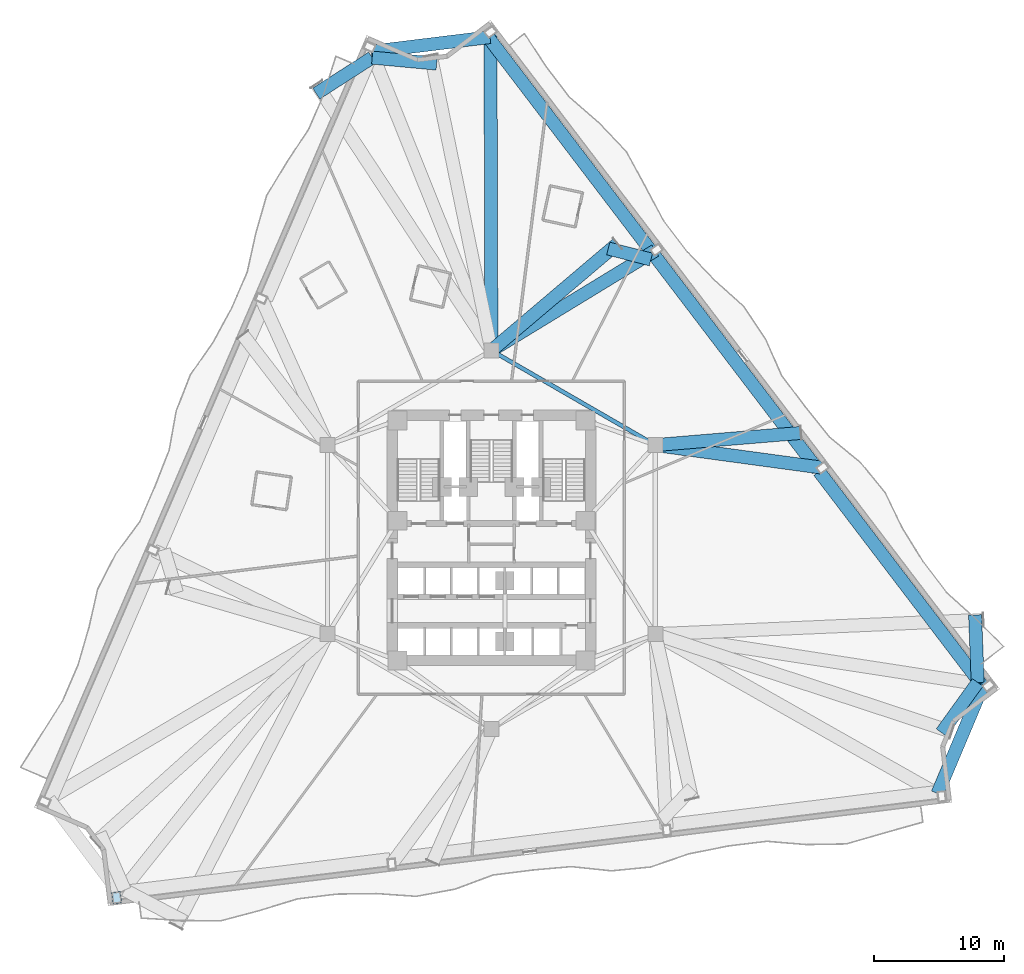
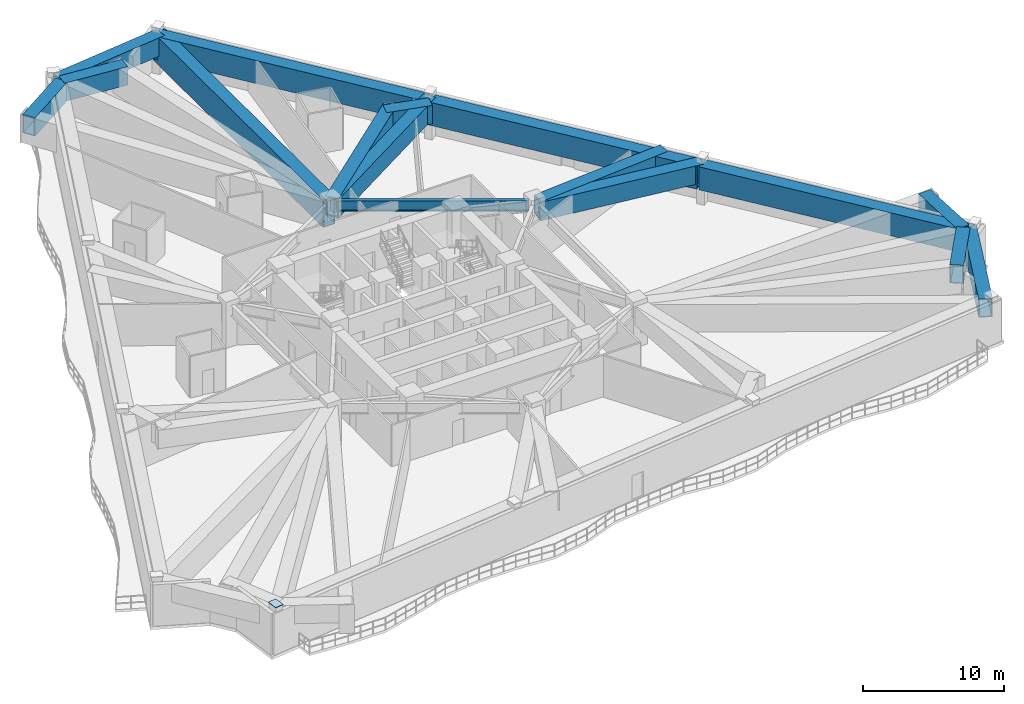
# One storey, part 2 of 14: 16 beams, 1 plate.
"""IFC4 building model written with IfcOpenShell, lengths in metres."""

from ifc_helpers import new_model, si_unit, direction, frame, origin, origin_2d, place, context, subcontext, project, spatial, rectangle, hollow_rectangle, i_section, extrude, material, layer, layer_set, material_profile, profile_set, type_object, element, save


model = new_model("IFC4")

# Units and contexts
model_context = context("Model", 3, precision=1e-05, world=origin(), true_north=direction((0.0, 1.0)))
body_context = subcontext(model_context, "Body", "Model", "MODEL_VIEW")
ifc_project = project(units=[si_unit("LENGTHUNIT", "METRE"), si_unit("AREAUNIT", "SQUARE_METRE"), si_unit("VOLUMEUNIT", "CUBIC_METRE"), si_unit("PLANEANGLEUNIT", "RADIAN"), si_unit("MASSUNIT", "GRAM", prefix="KILO")], contexts=[model_context])

# Site, building, storey
site_placement = place(None, origin())
site = spatial("IfcSite", under=ifc_project, at=site_placement, CompositionType="ELEMENT")
building_placement = place(site_placement, origin())
building = spatial("IfcBuilding", under=site, at=building_placement, Name="Apsidion Concourse Tower", CompositionType="ELEMENT")
storey_placement = place(building_placement, frame((0.0, 0.0, 91.0)))
storey = spatial("IfcBuildingStorey", under=building, at=storey_placement, Name="L20", CompositionType="ELEMENT", Elevation=91.0)

# Beams
ifc_material_1 = material(Name="Structural steel ASTM A992 Grade 50", Category="steel")
ifc_material_profile_1 = material_profile(ifc_material_1, i_section(OverallWidth=0.31005859375, OverallDepth=0.931884765625, WebThickness=0.02099609375, FlangeThickness=0.034423828125, at=origin_2d()), Name="W36X210")
ifc_profile_set_1 = profile_set([ifc_material_profile_1], Name="Structural steel ASTM A992 Grade 50")
beam_type_1 = type_object("IfcBeamType", Name="BM-G-W36", PredefinedType="USERDEFINED", material=ifc_profile_set_1)
beam_1_placement = place(storey_placement, frame((0.346435546875, 14.300048828125, 3.134033203125), z_axis=(0.866070471464, -0.499921932364, 0.0), x_axis=(0.499921932364, 0.866070471464, 0.0)))
element("IfcBeam", 1, at=beam_1_placement, inside=storey, type_object=beam_type_1, Name="L20 Core Coupling Girder IC4-IC3", ObjectType="GIRDER", PredefinedType="USERDEFINED", context=body_context, shape_type="SweptSolid", body=[
    extrude(i_section(OverallWidth=0.31005859375, OverallDepth=0.931884765625, WebThickness=0.02099609375, FlangeThickness=0.034423828125, at=origin_2d()), origin(), (0.0, 0.0, 1.0), 13.702392578125),
])
ifc_material_2 = material(Name="Structural steel ASTM A572 Grade 50", Category="steel")
ifc_material_profile_2 = material_profile(ifc_material_2, hollow_rectangle(XDim=1.0, YDim=1.60009765625, WallThickness=0.074951171875, at=origin_2d()), Name="BOX1600X1000X75")
ifc_profile_set_2 = profile_set([ifc_material_profile_2], Name="Structural steel ASTM A572 Grade 50")
beam_type_2 = type_object("IfcBeamType", Name="BM-TR-1600", PredefinedType="USERDEFINED", material=ifc_profile_set_2)
beam_2_placement = place(storey_placement, frame((34.195068359375, -19.4580078125, 2.800048828125), z_axis=(0.388325736018, 0.921522177024, 0.0), x_axis=(-0.921522177024, 0.388325736018, 0.0)))
element("IfcBeam", 2, at=beam_2_placement, inside=storey, type_object=beam_type_2, Name="L20 Perimeter Spandrel Girder SP-08", ObjectType="GIRDER", PredefinedType="USERDEFINED", context=body_context, shape_type="SweptSolid", body=[
    extrude(hollow_rectangle(XDim=1.0, YDim=1.60009765625, WallThickness=0.074951171875, at=origin_2d()), origin(), (0.0, 0.0, 1.0), 9.056396484375),
])
beam_3_placement = place(storey_placement, frame((-0.10546875, 38.5283203125, 2.800048828125), z_axis=(-0.992543511715, -0.121890841956, 0.0), x_axis=(0.121890841956, -0.992543511715, 0.0)))
element("IfcBeam", 3, at=beam_3_placement, inside=storey, type_object=beam_type_2, Name="L20 Perimeter Spandrel Girder SP-12", ObjectType="GIRDER", PredefinedType="USERDEFINED", context=body_context, shape_type="SweptSolid", body=[
    extrude(hollow_rectangle(XDim=1.0, YDim=1.60009765625, WallThickness=0.074951171875, at=origin_2d()), origin(), (0.0, 0.0, 1.0), 9.181396484375),
])
beam_4_placement = place(storey_placement, frame((12.778076171875, 7.220458984375, 2.800048828125), z_axis=(0.990945280061, -0.134266346958, 0.0), x_axis=(0.134266346958, 0.990945280061, 0.0)))
element("IfcBeam", 4, at=beam_4_placement, inside=storey, type_object=beam_type_2, Name="L20 Radial Floor Girder RAD-10", ObjectType="GIRDER", PredefinedType="USERDEFINED", context=body_context, shape_type="SweptSolid", body=[
    extrude(hollow_rectangle(XDim=1.0, YDim=1.60009765625, WallThickness=0.074951171875, at=origin_2d()), origin(), (0.0, 0.0, 1.0), 12.6083984375),
])
beam_5_placement = place(storey_placement, frame((0.187744140625, 14.614501953125, 2.800048828125), z_axis=(0.853751075102, 0.520681382193, 0.0), x_axis=(-0.520681382193, 0.853751075102, 0.0)))
element("IfcBeam", 5, at=beam_5_placement, inside=storey, type_object=beam_type_2, Name="L20 Radial Floor Girder RAD-11", ObjectType="GIRDER", PredefinedType="USERDEFINED", context=body_context, shape_type="SweptSolid", body=[
    extrude(hollow_rectangle(XDim=1.0, YDim=1.60009765625, WallThickness=0.074951171875, at=origin_2d()), origin(), (0.0, 0.0, 1.0), 14.49658203125),
])
beam_6_placement = place(storey_placement, frame((-9.14013671875, 36.95166015625, 2.800048828125), z_axis=(-0.840952743465, -0.541108568828, 0.0), x_axis=(0.541108568828, -0.840952743465, 0.0)))
element("IfcBeam", 6, at=beam_6_placement, inside=storey, type_object=beam_type_2, Name="L20 Block-Step Perimeter Transfer Bridge NBR-01", ObjectType="GIRDER", PredefinedType="USERDEFINED", context=body_context, shape_type="SweptSolid", body=[
    extrude(hollow_rectangle(XDim=1.0, YDim=1.60009765625, WallThickness=0.074951171875, at=origin_2d()), origin(), (0.0, 0.0, 1.0), 5.09716796875),
])
beam_7_placement = place(storey_placement, frame((37.277587890625, -10.94677734375, 2.800048828125), z_axis=(-0.584543275524, -0.811362532435, 0.0), x_axis=(0.811362532435, -0.584543275524, 0.0)))
element("IfcBeam", 7, at=beam_7_placement, inside=storey, type_object=beam_type_2, Name="L20 Block-Step Perimeter Transfer Bridge NBR-08", ObjectType="GIRDER", PredefinedType="USERDEFINED", context=body_context, shape_type="SweptSolid", body=[
    extrude(hollow_rectangle(XDim=1.0, YDim=1.60009765625, WallThickness=0.074951171875, at=origin_2d()), origin(), (0.0, 0.0, 1.0), 4.74462890625),
])
beam_8_placement = place(storey_placement, frame((37.277587890625, -10.94677734375, 2.800048828125), z_axis=(-0.038731702226, 0.999249646106, 0.0), x_axis=(-0.999249646106, -0.038731702226, 0.0)))
element("IfcBeam", 8, at=beam_8_placement, inside=storey, type_object=beam_type_2, Name="L20 Block-Step Perimeter Transfer Bridge NBR-09", ObjectType="GIRDER", PredefinedType="USERDEFINED", context=body_context, shape_type="SweptSolid", body=[
    extrude(hollow_rectangle(XDim=1.0, YDim=1.60009765625, WallThickness=0.074951171875, at=origin_2d()), origin(), (0.0, 0.0, 1.0), 5.181396484375),
])
beam_9_placement = place(storey_placement, frame((12.85888671875, 7.27490234375, 2.800048828125), z_axis=(0.996542666196, 0.083082576097, 0.0), x_axis=(-0.083082576097, 0.996542666196, 0.0)))
element("IfcBeam", 9, at=beam_9_placement, inside=storey, type_object=beam_type_2, Name="L20 Block-Step Radial Transfer Girder NTR-10", ObjectType="GIRDER", PredefinedType="USERDEFINED", context=body_context, shape_type="SweptSolid", body=[
    extrude(hollow_rectangle(XDim=1.0, YDim=1.60009765625, WallThickness=0.074951171875, at=origin_2d()), origin(), (0.0, 0.0, 1.0), 10.89306640625),
])
beam_10_placement = place(storey_placement, frame((0.22900390625, 14.694091796875, 2.800048828125), z_axis=(0.762884209885, 0.646535136175, 0.0), x_axis=(-0.646535136175, 0.762884209885, 0.0)))
element("IfcBeam", 10, at=beam_10_placement, inside=storey, type_object=beam_type_2, Name="L20 Block-Step Radial Transfer Girder NTR-11", ObjectType="GIRDER", PredefinedType="USERDEFINED", context=body_context, shape_type="SweptSolid", body=[
    extrude(hollow_rectangle(XDim=1.0, YDim=1.60009765625, WallThickness=0.074951171875, at=origin_2d()), origin(), (0.0, 0.0, 1.0), 12.363525390625),
])
beam_11_placement = place(storey_placement, frame((12.22900390625, 21.47607421875, 2.800048828125), z_axis=(-0.968435116519, 0.249265772003, 0.0), x_axis=(-0.249265772003, -0.968435116519, 0.0)))
element("IfcBeam", 11, at=beam_11_placement, inside=storey, type_object=beam_type_2, Name="L20 Block-Step Perimeter Transfer Bridge NBR-11", ObjectType="GIRDER", PredefinedType="USERDEFINED", context=body_context, shape_type="SweptSolid", body=[
    extrude(hollow_rectangle(XDim=1.0, YDim=1.60009765625, WallThickness=0.074951171875, at=origin_2d()), origin(), (0.0, 0.0, 1.0), 3.377197265625),
])
beam_12_placement = place(storey_placement, frame((-9.14013671875, 36.95166015625, 2.800048828125), z_axis=(0.995687490129, -0.092770803596, 0.0), x_axis=(0.092770803596, 0.995687490129, 0.0)))
element("IfcBeam", 12, at=beam_12_placement, inside=storey, type_object=beam_type_2, Name="L20 Block-Step Perimeter Transfer Bridge NBR-12", ObjectType="GIRDER", PredefinedType="USERDEFINED", context=body_context, shape_type="SweptSolid", body=[
    extrude(hollow_rectangle(XDim=1.0, YDim=1.60009765625, WallThickness=0.074951171875, at=origin_2d()), origin(), (0.0, 0.0, 1.0), 4.96337890625),
])
ifc_material_profile_3 = material_profile(ifc_material_2, hollow_rectangle(XDim=1.0, YDim=2.0, WallThickness=0.080078125, at=origin_2d()), Name="BOX2000X1000X80")
ifc_profile_set_3 = profile_set([ifc_material_profile_3], Name="Structural steel ASTM A572 Grade 50")
beam_type_3 = type_object("IfcBeamType", Name="BM-TR-2000", PredefinedType="USERDEFINED", material=ifc_profile_set_3)
for number, where, z_axis, x_axis, name in (
    (13, (37.7421875, -11.352783203125, 2.60009765625), (-0.60596800995, 0.7954890137, 0.0), (-0.7954890137, -0.60596800995, 0.0), "L20 Perimeter Spandrel Girder SP-09"),
    (14, (25.0205078125, 5.34765625, 2.60009765625), (-0.60596800995, 0.7954890137, 0.0), (-0.7954890137, -0.60596800995, 0.0), "L20 Perimeter Spandrel Girder SP-10"),
    (15, (12.298583984375, 22.048095703125, 2.60009765625), (-0.60596800995, 0.7954890137, 0.0), (-0.7954890137, -0.60596800995, 0.0), "L20 Perimeter Spandrel Girder SP-11"),
):
    element("IfcBeam", number, at=place(storey_placement, frame(where, z_axis=z_axis, x_axis=x_axis)), inside=storey, type_object=beam_type_3, Name=name, ObjectType="GIRDER", PredefinedType="USERDEFINED", context=body_context, shape_type="SweptSolid", body=[
        extrude(hollow_rectangle(XDim=1.0, YDim=2.0, WallThickness=0.080078125, at=origin_2d()), origin(), (0.0, 0.0, 1.0), 20.833984375),
    ])
ifc_material_profile_4 = material_profile(ifc_material_2, hollow_rectangle(XDim=1.0, YDim=2.39990234375, WallThickness=0.080078125, at=origin_2d()), Name="BOX2400X1000X80")
ifc_profile_set_4 = profile_set([ifc_material_profile_4], Name="Structural steel ASTM A572 Grade 50")
beam_type_4 = type_object("IfcBeamType", Name="BM-TR-2400", PredefinedType="USERDEFINED", material=ifc_profile_set_4)
beam_13_placement = place(storey_placement, frame((-0.000732421875, 14.719970703125, 2.39990234375), z_axis=(-0.002958626887, 0.999995623254, 0.0), x_axis=(-0.999995623254, -0.002958626887, 0.0)))
element("IfcBeam", 16, at=beam_13_placement, inside=storey, type_object=beam_type_4, Name="L20 Radial Floor Girder RAD-12", ObjectType="GIRDER", PredefinedType="USERDEFINED", context=body_context, shape_type="SweptSolid", body=[
    extrude(hollow_rectangle(XDim=1.0, YDim=2.39990234375, WallThickness=0.080078125, at=origin_2d()), origin(), (0.0, 0.0, 1.0), 24.09521484375),
])

# Plate
ifc_layer = layer(ifc_material_2, 0.034912109375)
ifc_layer_set = layer_set([ifc_layer], Name="Structural steel ASTM A572 Grade 50")
plate_type = type_object("IfcPlateType", Name="PL-ENDCAP-35", PredefinedType="USERDEFINED", material=ifc_layer_set)
plate_placement = place(storey_placement, frame((-28.72802734375, -27.4443359375, 3.998046875), z_axis=(0.0, 0.0, 1.0), x_axis=(0.992546151641, 0.121869343405, 0.0)))
element("IfcPlate", 17, at=plate_placement, inside=storey, type_object=plate_type, Name="L20 Step-Top Column End-Cap Plate PCCAP-PC05", ObjectType="FLANGE_PLATE", PredefinedType="USERDEFINED", context=body_context, shape_type="SweptSolid", body=[
    extrude(rectangle(XDim=0.679931640625, YDim=0.8798828125, at=origin_2d()), origin(), (0.0, 0.0, 1.0), 0.0400390625),
])

save(model, "model.ifc")
